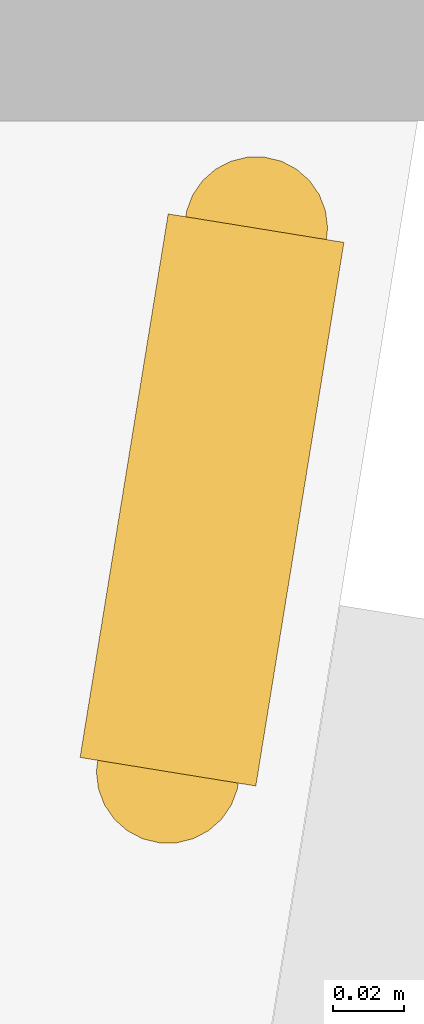
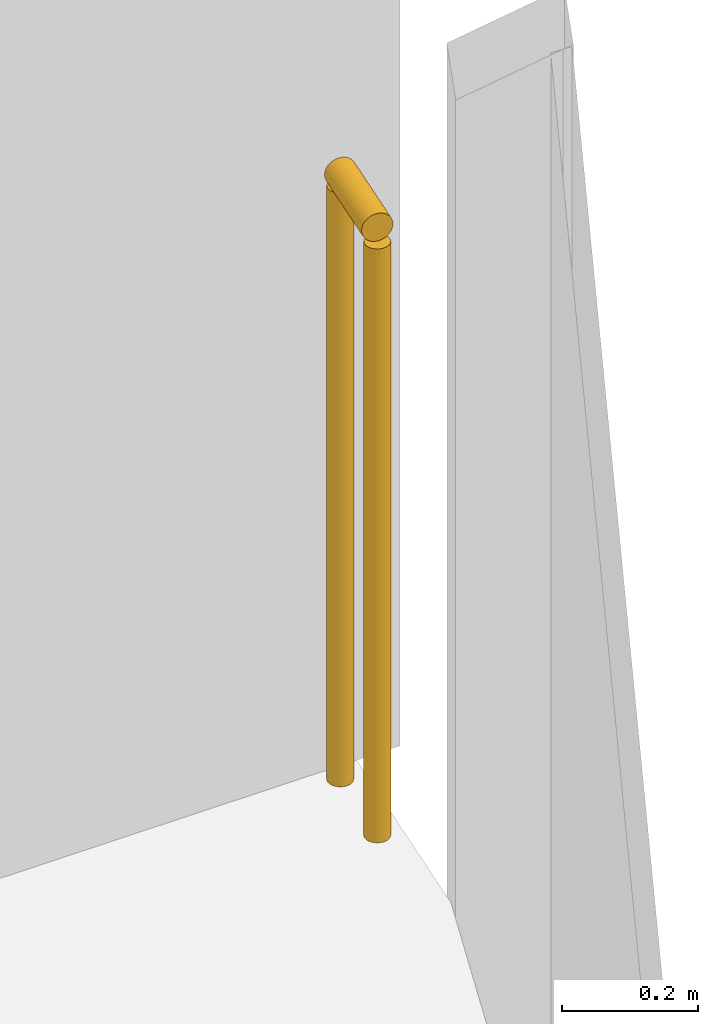
# One storey, part 33 of 34: 1 railing.
"""IFC4 building model written with IfcOpenShell, lengths in metres."""

from ifc_helpers import new_model, si_unit, direction, frame, origin, origin_2d, place, context, subcontext, project, spatial, circle, extrude, material, type_object, element, save


model = new_model("IFC4")

# Units and contexts
model_context = context("Model", 3, precision=1e-05, world=origin(), true_north=direction((0.0, 1.0)))
body_context = subcontext(model_context, "Body", "Model", "MODEL_VIEW")
ifc_project = project(units=[si_unit("LENGTHUNIT", "METRE"), si_unit("AREAUNIT", "SQUARE_METRE"), si_unit("VOLUMEUNIT", "CUBIC_METRE"), si_unit("PLANEANGLEUNIT", "RADIAN"), si_unit("MASSUNIT", "GRAM", prefix="KILO")], contexts=[model_context])

# Site, building, storey
site_placement = place(None, origin())
site = spatial("IfcSite", under=ifc_project, at=site_placement, CompositionType="ELEMENT")
building_placement = place(site_placement, origin())
building = spatial("IfcBuilding", under=site, at=building_placement, Name="Orlundy Tower", CompositionType="ELEMENT")
storey_placement = place(building_placement, frame((0.0, 0.0, 137.699951171875)))
storey = spatial("IfcBuildingStorey", under=building, at=storey_placement, Name="L35", CompositionType="ELEMENT", Elevation=137.699951171875)

# Railing
ifc_material = material(Name="Stainless steel bronze finish", Category="steel")
railing_type = type_object("IfcRailingType", Name="TG1 terrace guard", PredefinedType="GUARDRAIL", material=ifc_material)
railing_placement = place(storey_placement, frame((57.083984375, -19.489013671875, 0.0)))
element("IfcRailing", 1, at=railing_placement, inside=storey, type_object=railing_type, Name="Guard TG-L35-E01", PredefinedType="GUARDRAIL", context=body_context, shape_type="SweptSolid", body=[
    extrude(circle(Radius=0.02490234375, at=origin_2d()), frame((0.0, 0.0, 1.09521484375), z_axis=(-0.160029432686, -0.987112243199, 0.0), x_axis=(0.987112243199, -0.160029432686, 0.0)), (0.0, 0.0, 1.0), 0.154052734375),
    extrude(circle(Radius=0.02001953125, at=origin_2d()), origin(), (0.0, 0.0, 1.0), 1.070068359375),
    extrude(circle(Radius=0.02001953125, at=origin_2d()), frame((-0.024658203125, -0.152099609375, 0.0)), (0.0, 0.0, 1.0), 1.070068359375),
])

save(model, "model.ifc")
